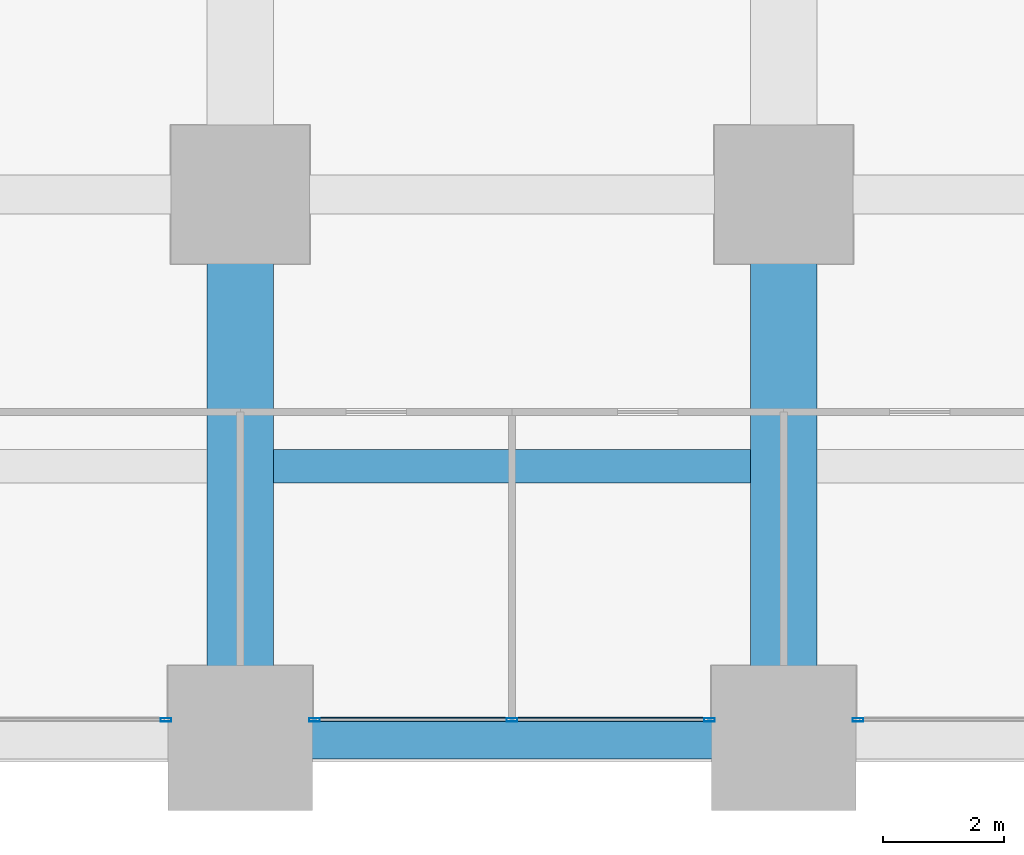
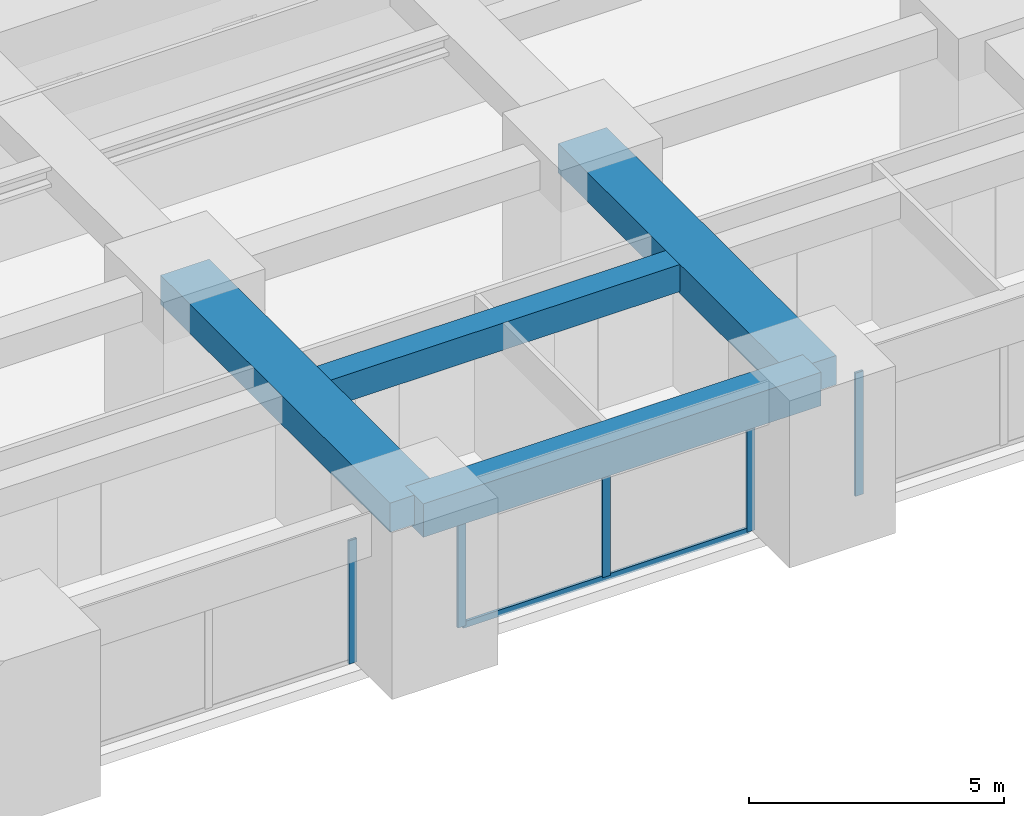
# One storey, part 13 of 45: 6 members, 4 beams, 3 elements without a shape of their own.
"""IFC4 building model written with IfcOpenShell, lengths in metres."""

from ifc_helpers import new_model, si_unit, direction, frame, origin, origin_2d, place, context, subcontext, project, spatial, rectangle, hollow_rectangle, extrude, material, material_profile, profile_set, type_object, element, aggregate, save


model = new_model("IFC4")

# Units and contexts
model_context = context("Model", 3, precision=1e-05, world=origin(), true_north=direction((0.0, 1.0)))
body_context = subcontext(model_context, "Body", "Model", "MODEL_VIEW")
ifc_project = project(units=[si_unit("LENGTHUNIT", "METRE"), si_unit("AREAUNIT", "SQUARE_METRE"), si_unit("VOLUMEUNIT", "CUBIC_METRE"), si_unit("PLANEANGLEUNIT", "RADIAN"), si_unit("MASSUNIT", "GRAM", prefix="KILO")], contexts=[model_context])

# Site, building, storey
site_placement = place(None, origin())
site = spatial("IfcSite", under=ifc_project, at=site_placement, CompositionType="ELEMENT")
building_placement = place(site_placement, origin())
building = spatial("IfcBuilding", under=site, at=building_placement, Name="Zorevar Civic Tower", CompositionType="ELEMENT")
storey_placement = place(building_placement, frame((0.0, 0.0, 47.800048828125)))
storey = spatial("IfcBuildingStorey", under=building, at=storey_placement, Name="L11", CompositionType="ELEMENT", Elevation=47.800048828125)

# Beams
ifc_material_1 = material(Name="Concrete C50/60", Category="concrete")
ifc_material_profile_1 = material_profile(ifc_material_1, rectangle(XDim=1.10009765625, YDim=0.699951171875, at=origin_2d()), Name="RC 1100x700")
ifc_profile_set_1 = profile_set([ifc_material_profile_1], Name="Concrete C50/60")
beam_type_1 = type_object("IfcBeamType", Name="Beam RC 1100x700", PredefinedType="BEAM", material=ifc_profile_set_1)
for number, where, z_axis, x_axis, name in (
    (1, (36.0, 0.0, 3.39990234375), (0.0, 1.0, 0.0), (-1.0, 0.0, 0.0), "Girder L12"),
    (2, (45.0, 0.0, 3.39990234375), (0.0, 1.0, 0.0), (-1.0, 0.0, 0.0), "Girder L12"),
):
    element("IfcBeam", number, at=place(storey_placement, frame(where, z_axis=z_axis, x_axis=x_axis)), inside=storey, type_object=beam_type_1, Name=name, PredefinedType="BEAM", context=body_context, shape_type="SweptSolid", body=[
        extrude(rectangle(XDim=1.10009765625, YDim=0.699951171875, at=origin_2d()), origin(), (0.0, 0.0, 1.0), 9.0),
    ])
ifc_material_2 = material(Name="Concrete C50/60", Category="concrete")
ifc_material_profile_2 = material_profile(ifc_material_2, rectangle(XDim=0.550048828125, YDim=0.64990234375, at=origin_2d()), Name="RC 550x650")
ifc_profile_set_2 = profile_set([ifc_material_profile_2], Name="Concrete C50/60")
beam_type_2 = type_object("IfcBeamType", Name="Beam RC 550x650", PredefinedType="BEAM", material=ifc_profile_set_2)
beam_1_placement = place(storey_placement, frame((36.550048828125, 4.5, 3.425048828125), z_axis=(1.0, 0.0, 0.0), x_axis=(0.0, 1.0, 0.0)))
element("IfcBeam", 3, at=beam_1_placement, inside=storey, type_object=beam_type_2, Name="Secondary beam L12", PredefinedType="BEAM", context=body_context, shape_type="SweptSolid", body=[
    extrude(rectangle(XDim=0.550048828125, YDim=0.64990234375, at=origin_2d()), origin(), (0.0, 0.0, 1.0), 7.89990234375),
])

# Curtain wall, member
ifc_material_3 = material(Name="Dark grey solar-control glass in black aluminium frame", Category="aluminium")
curtain_wall_type = type_object("IfcCurtainWallType", Name="Curtain wall CW2 low zone", PredefinedType="NOTDEFINED", material=ifc_material_3)
curtain_wall_1_placement = place(storey_placement, origin())
curtain_wall_1 = element("IfcCurtainWall", 4, at=curtain_wall_1_placement, inside=storey, type_object=curtain_wall_type, Name="CW2 L11", PredefinedType="NOTDEFINED")
ifc_material_4 = material(Name="Aluminium, black anodised", Category="aluminium")
ifc_material_profile_3 = material_profile(ifc_material_4, hollow_rectangle(XDim=0.06005859375, YDim=0.179931640625, WallThickness=0.00390625, at=origin_2d()), Name="AL 180x60x4")
ifc_profile_set_3 = profile_set([ifc_material_profile_3], Name="Aluminium, black anodised")
member_type_1 = type_object("IfcMemberType", Name="CW2 mullion AL 180x60x4", PredefinedType="MULLION", material=ifc_profile_set_3)
member_1_placement = place(storey_placement, frame((34.77001953125, 0.300048828125, 0.0), z_axis=(0.0, 0.0, 1.0), x_axis=(0.0, 1.0, 0.0)))
member_1 = element("IfcMember", 5, at=member_1_placement, type_object=member_type_1, Name="CW2 mullion 3", PredefinedType="MULLION", context=body_context, shape_type="SweptSolid", body=[
    extrude(hollow_rectangle(XDim=0.06005859375, YDim=0.179931640625, WallThickness=0.00390625, at=origin_2d()), origin(), (0.0, 0.0, 1.0), 2.949951171875),
])
aggregate(curtain_wall_1, [member_1])

# Curtain wall, members
curtain_wall_2_placement = place(storey_placement, origin())
curtain_wall_2 = element("IfcCurtainWall", 6, at=curtain_wall_2_placement, inside=storey, type_object=curtain_wall_type, Name="CW2 L11", PredefinedType="NOTDEFINED")
member_2_placement = place(storey_placement, frame((37.22998046875, 0.300048828125, 0.0), z_axis=(0.0, 0.0, 1.0), x_axis=(0.0, 1.0, 0.0)))
member_2 = element("IfcMember", 7, at=member_2_placement, type_object=member_type_1, Name="CW2 mullion 1", PredefinedType="MULLION", context=body_context, shape_type="SweptSolid", body=[
    extrude(hollow_rectangle(XDim=0.06005859375, YDim=0.179931640625, WallThickness=0.00390625, at=origin_2d()), origin(), (0.0, 0.0, 1.0), 2.949951171875),
])
member_3_placement = place(storey_placement, frame((40.5, 0.300048828125, 0.06005859375), z_axis=(0.0, 0.0, 1.0), x_axis=(0.0, 1.0, 0.0)))
member_3 = element("IfcMember", 8, at=member_3_placement, type_object=member_type_1, Name="CW2 mullion 2", PredefinedType="MULLION", context=body_context, shape_type="SweptSolid", body=[
    extrude(hollow_rectangle(XDim=0.06005859375, YDim=0.179931640625, WallThickness=0.00390625, at=origin_2d()), origin(), (0.0, 0.0, 1.0), 2.889892578125),
])
member_4_placement = place(storey_placement, frame((43.77001953125, 0.300048828125, 0.0), z_axis=(0.0, 0.0, 1.0), x_axis=(0.0, 1.0, 0.0)))
member_4 = element("IfcMember", 9, at=member_4_placement, type_object=member_type_1, Name="CW2 mullion 3", PredefinedType="MULLION", context=body_context, shape_type="SweptSolid", body=[
    extrude(hollow_rectangle(XDim=0.06005859375, YDim=0.179931640625, WallThickness=0.00390625, at=origin_2d()), origin(), (0.0, 0.0, 1.0), 2.949951171875),
])

# Curtain wall, member
curtain_wall_3_placement = place(storey_placement, origin())
curtain_wall_3 = element("IfcCurtainWall", 10, at=curtain_wall_3_placement, inside=storey, type_object=curtain_wall_type, Name="CW2 L11", PredefinedType="NOTDEFINED")
member_5_placement = place(storey_placement, frame((46.22998046875, 0.300048828125, 0.0), z_axis=(0.0, 0.0, 1.0), x_axis=(0.0, 1.0, 0.0)))
member_5 = element("IfcMember", 11, at=member_5_placement, type_object=member_type_1, Name="CW2 mullion 1", PredefinedType="MULLION", context=body_context, shape_type="SweptSolid", body=[
    extrude(hollow_rectangle(XDim=0.06005859375, YDim=0.179931640625, WallThickness=0.00390625, at=origin_2d()), origin(), (0.0, 0.0, 1.0), 2.949951171875),
])
aggregate(curtain_wall_3, [member_5])

# Member
ifc_material_5 = material(Name="Aluminium, black anodised", Category="aluminium")
ifc_material_profile_4 = material_profile(ifc_material_5, hollow_rectangle(XDim=0.06005859375, YDim=0.14990234375, WallThickness=0.00390625, at=origin_2d()), Name="AL 150x60x4")
ifc_profile_set_4 = profile_set([ifc_material_profile_4], Name="Aluminium, black anodised")
member_type_2 = type_object("IfcMemberType", Name="CW2 transom AL 150x60x4", PredefinedType="USERDEFINED", material=ifc_profile_set_4)
member_6_placement = place(storey_placement, frame((37.260009765625, 0.300048828125, 0.030029296875), z_axis=(1.0, 0.0, 0.0), x_axis=(0.0, 1.0, 0.0)))
member_6 = element("IfcMember", 12, at=member_6_placement, type_object=member_type_2, Name="CW2 sill transom", ObjectType="TRANSOM", PredefinedType="USERDEFINED", context=body_context, shape_type="SweptSolid", body=[
    extrude(hollow_rectangle(XDim=0.06005859375, YDim=0.14990234375, WallThickness=0.00390625, at=origin_2d()), origin(), (0.0, 0.0, 1.0), 6.47998046875),
])

aggregate(curtain_wall_2, [member_2, member_3, member_4, member_6])

# Beam
ifc_material_6 = material(Name="Concrete C50/60", Category="concrete")
ifc_material_profile_5 = material_profile(ifc_material_6, rectangle(XDim=0.699951171875, YDim=0.800048828125, at=origin_2d()), Name="RC 700x800")
ifc_profile_set_5 = profile_set([ifc_material_profile_5], Name="Concrete C50/60")
beam_type_3 = type_object("IfcBeamType", Name="Edge beam RC 700x800", PredefinedType="SPANDREL", material=ifc_profile_set_5)
beam_2_placement = place(storey_placement, frame((36.0, 0.0, 3.349853515625), z_axis=(1.0, 0.0, 0.0), x_axis=(0.0, 1.0, 0.0)))
element("IfcBeam", 13, at=beam_2_placement, inside=storey, type_object=beam_type_3, Name="Edge beam L12", PredefinedType="SPANDREL", context=body_context, shape_type="SweptSolid", body=[
    extrude(rectangle(XDim=0.699951171875, YDim=0.800048828125, at=origin_2d()), origin(), (0.0, 0.0, 1.0), 9.0),
])

save(model, "model.ifc")
